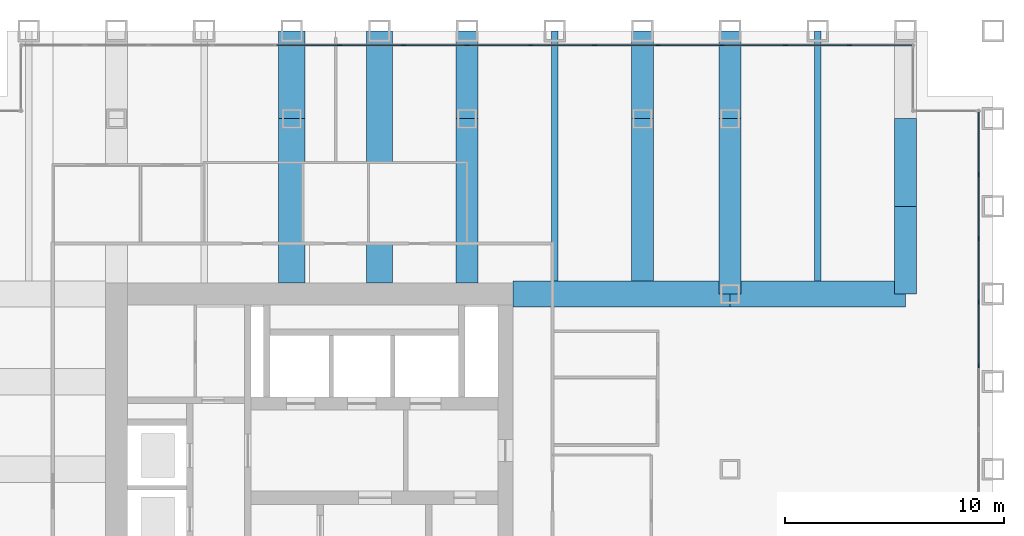
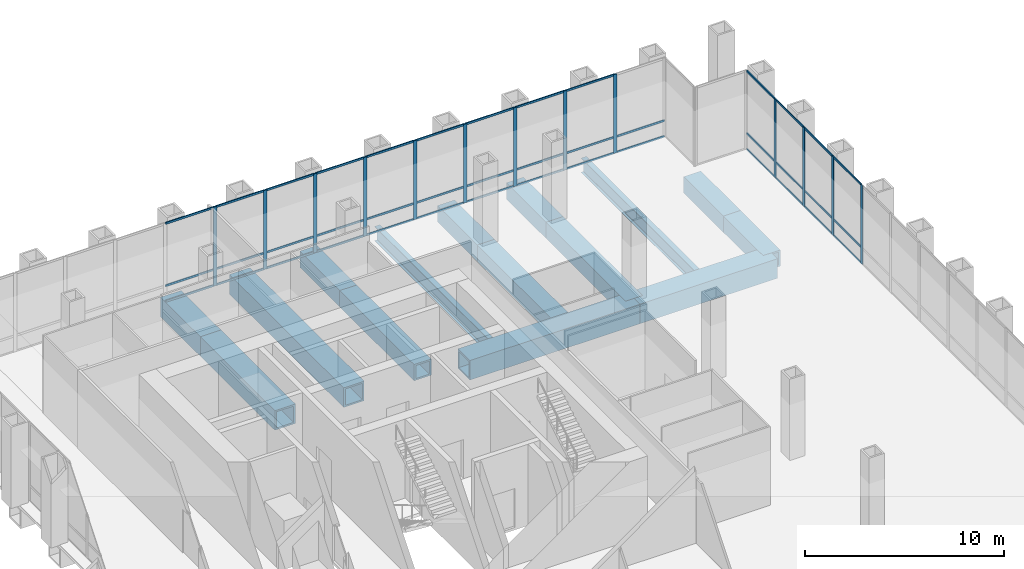
# One storey, part 8 of 16: 54 members, 15 beams, 2 elements without a shape of their own.
"""IFC4 building model written with IfcOpenShell, lengths in metres."""

from ifc_helpers import new_model, si_unit, direction, frame, origin, origin_2d, place, context, subcontext, project, spatial, rectangle, hollow_rectangle, i_section, extrude, material, material_profile, profile_set, type_object, element, aggregate, save


model = new_model("IFC4")

# Units and contexts
model_context = context("Model", 3, precision=1e-05, world=origin(), true_north=direction((0.0, 1.0)))
body_context = subcontext(model_context, "Body", "Model", "MODEL_VIEW")
ifc_project = project(units=[si_unit("LENGTHUNIT", "METRE"), si_unit("AREAUNIT", "SQUARE_METRE"), si_unit("VOLUMEUNIT", "CUBIC_METRE"), si_unit("PLANEANGLEUNIT", "RADIAN"), si_unit("MASSUNIT", "GRAM", prefix="KILO")], contexts=[model_context])

# Site, building, storey
site_placement = place(None, origin())
site = spatial("IfcSite", under=ifc_project, at=site_placement, CompositionType="ELEMENT")
building_placement = place(site_placement, origin())
building = spatial("IfcBuilding", under=site, at=building_placement, Name="Rimbunsela Tower", CompositionType="ELEMENT")
storey_placement = place(building_placement, frame((0.0, 0.0, 76.39990234375)))
storey = spatial("IfcBuildingStorey", under=building, at=storey_placement, Name="L18", CompositionType="ELEMENT", Elevation=76.39990234375)

# Beams
ifc_material_1 = material(Name="Steel BJ 55 (fy 410 MPa)", Category="steel")
ifc_material_profile_1 = material_profile(ifc_material_1, hollow_rectangle(XDim=1.0, YDim=1.0, WallThickness=0.10009765625, at=origin_2d()), Name="BOX 1000x1000x100")
ifc_profile_set_1 = profile_set([ifc_material_profile_1], Name="Steel BJ 55 (fy 410 MPa)")
beam_type_1 = type_object("IfcBeamType", Name="Beam BOX 1000x1000x100", PredefinedType="BEAM", material=ifc_profile_set_1)
beam_1_placement = place(storey_placement, frame((34.0, 36.5, -0.64990234375), z_axis=(0.0, 1.0, 0.0), x_axis=(-1.0, 0.0, 0.0)))
element("IfcBeam", 1, at=beam_1_placement, inside=storey, type_object=beam_type_1, Name="Beam B3 L18", PredefinedType="BEAM", context=body_context, shape_type="SweptSolid", body=[
    extrude(hollow_rectangle(XDim=1.0, YDim=1.0, WallThickness=0.10009765625, at=origin_2d()), origin(), (0.0, 0.0, 1.0), 7.5),
])
beam_2_placement = place(storey_placement, frame((34.0, 44.0, -0.64990234375), z_axis=(0.0, 1.0, 0.0), x_axis=(-1.0, 0.0, 0.0)))
element("IfcBeam", 2, at=beam_2_placement, inside=storey, type_object=beam_type_1, Name="Beam B3 L18", PredefinedType="BEAM", context=body_context, shape_type="SweptSolid", body=[
    extrude(hollow_rectangle(XDim=1.0, YDim=1.0, WallThickness=0.10009765625, at=origin_2d()), origin(), (0.0, 0.0, 1.0), 4.0),
])
beam_3_placement = place(storey_placement, frame((42.0, 36.60009765625, -0.64990234375), z_axis=(0.0, 1.0, 0.0), x_axis=(-1.0, 0.0, 0.0)))
element("IfcBeam", 3, at=beam_3_placement, inside=storey, type_object=beam_type_1, Name="Beam B3 L18", PredefinedType="BEAM", context=body_context, shape_type="SweptSolid", body=[
    extrude(hollow_rectangle(XDim=1.0, YDim=1.0, WallThickness=0.10009765625, at=origin_2d()), origin(), (0.0, 0.0, 1.0), 7.39990234375),
])
beam_4_placement = place(storey_placement, frame((42.0, 44.0, -0.64990234375), z_axis=(0.0, 1.0, 0.0), x_axis=(-1.0, 0.0, 0.0)))
element("IfcBeam", 4, at=beam_4_placement, inside=storey, type_object=beam_type_1, Name="Beam B3 L18", PredefinedType="BEAM", context=body_context, shape_type="SweptSolid", body=[
    extrude(hollow_rectangle(XDim=1.0, YDim=1.0, WallThickness=0.10009765625, at=origin_2d()), origin(), (0.0, 0.0, 1.0), 4.0),
])
beam_5_placement = place(storey_placement, frame((46.0, 36.0, -0.64990234375), z_axis=(0.0, 1.0, 0.0), x_axis=(-1.0, 0.0, 0.0)))
element("IfcBeam", 5, at=beam_5_placement, inside=storey, type_object=beam_type_1, Name="Beam B3 L18", PredefinedType="BEAM", context=body_context, shape_type="SweptSolid", body=[
    extrude(hollow_rectangle(XDim=1.0, YDim=1.0, WallThickness=0.10009765625, at=origin_2d()), origin(), (0.0, 0.0, 1.0), 8.0),
])
for number, where, z_axis, x_axis, name in (
    (6, (46.0, 44.0, -0.64990234375), (0.0, 1.0, 0.0), (-1.0, 0.0, 0.0), "Beam B3 L18"),
    (7, (54.0, 36.0, -0.64990234375), (0.0, 1.0, 0.0), (-1.0, 0.0, 0.0), "Beam B3 L18"),
    (8, (54.0, 40.0, -0.64990234375), (0.0, 1.0, 0.0), (-1.0, 0.0, 0.0), "Beam B3 L18"),
):
    element("IfcBeam", number, at=place(storey_placement, frame(where, z_axis=z_axis, x_axis=x_axis)), inside=storey, type_object=beam_type_1, Name=name, PredefinedType="BEAM", context=body_context, shape_type="SweptSolid", body=[
        extrude(hollow_rectangle(XDim=1.0, YDim=1.0, WallThickness=0.10009765625, at=origin_2d()), origin(), (0.0, 0.0, 1.0), 4.0),
    ])
ifc_material_2 = material(Name="Steel BJ 55 (fy 410 MPa)", Category="steel")
ifc_material_profile_2 = material_profile(ifc_material_2, hollow_rectangle(XDim=1.199951171875, YDim=1.199951171875, WallThickness=0.10009765625, at=origin_2d()), Name="BOX 1200x1200x100")
ifc_profile_set_2 = profile_set([ifc_material_profile_2], Name="Steel BJ 55 (fy 410 MPa)")
beam_type_2 = type_object("IfcBeamType", Name="Beam BOX 1200x1200x100", PredefinedType="BEAM", material=ifc_profile_set_2)
beam_6_placement = place(storey_placement, frame((26.0, 36.5, -0.75), z_axis=(0.0, 1.0, 0.0), x_axis=(-1.0, 0.0, 0.0)))
element("IfcBeam", 9, at=beam_6_placement, inside=storey, type_object=beam_type_2, Name="Beam B5 L18", PredefinedType="BEAM", context=body_context, shape_type="SweptSolid", body=[
    extrude(hollow_rectangle(XDim=1.199951171875, YDim=1.199951171875, WallThickness=0.10009765625, at=origin_2d()), origin(), (0.0, 0.0, 1.0), 7.5),
])
beam_7_placement = place(storey_placement, frame((26.0, 44.0, -0.75), z_axis=(0.0, 1.0, 0.0), x_axis=(-1.0, 0.0, 0.0)))
element("IfcBeam", 10, at=beam_7_placement, inside=storey, type_object=beam_type_2, Name="Beam B5 L18", PredefinedType="BEAM", context=body_context, shape_type="SweptSolid", body=[
    extrude(hollow_rectangle(XDim=1.199951171875, YDim=1.199951171875, WallThickness=0.10009765625, at=origin_2d()), origin(), (0.0, 0.0, 1.0), 4.0),
])
beam_8_placement = place(storey_placement, frame((30.0, 36.5, -0.75), z_axis=(0.0, 1.0, 0.0), x_axis=(-1.0, 0.0, 0.0)))
element("IfcBeam", 11, at=beam_8_placement, inside=storey, type_object=beam_type_2, Name="Beam B5 L18", PredefinedType="BEAM", context=body_context, shape_type="SweptSolid", body=[
    extrude(hollow_rectangle(XDim=1.199951171875, YDim=1.199951171875, WallThickness=0.10009765625, at=origin_2d()), origin(), (0.0, 0.0, 1.0), 11.5),
])
beam_9_placement = place(storey_placement, frame((36.10009765625, 36.0, -0.75), z_axis=(1.0, 0.0, 0.0), x_axis=(0.0, 1.0, 0.0)))
element("IfcBeam", 12, at=beam_9_placement, inside=storey, type_object=beam_type_2, Name="Beam B5 L18", PredefinedType="BEAM", context=body_context, shape_type="SweptSolid", body=[
    extrude(hollow_rectangle(XDim=1.199951171875, YDim=1.199951171875, WallThickness=0.10009765625, at=origin_2d()), origin(), (0.0, 0.0, 1.0), 9.89990234375),
])
beam_10_placement = place(storey_placement, frame((46.0, 36.0, -0.75), z_axis=(1.0, 0.0, 0.0), x_axis=(0.0, 1.0, 0.0)))
element("IfcBeam", 13, at=beam_10_placement, inside=storey, type_object=beam_type_2, Name="Beam B5 L18", PredefinedType="BEAM", context=body_context, shape_type="SweptSolid", body=[
    extrude(hollow_rectangle(XDim=1.199951171875, YDim=1.199951171875, WallThickness=0.10009765625, at=origin_2d()), origin(), (0.0, 0.0, 1.0), 8.0),
])
ifc_material_3 = material(Name="Steel BJ 55 (fy 410 MPa)", Category="steel")
ifc_material_profile_3 = material_profile(ifc_material_3, i_section(OverallWidth=0.300048828125, OverallDepth=0.89990234375, WebThickness=0.01611328125, FlangeThickness=0.028076171875, FilletRadius=0.028076171875, at=origin_2d()), Name="H 900x300x16x28")
ifc_profile_set_3 = profile_set([ifc_material_profile_3], Name="Steel BJ 55 (fy 410 MPa)")
beam_type_3 = type_object("IfcBeamType", Name="Beam H 900x300x16x28", PredefinedType="BEAM", material=ifc_profile_set_3)
for number, where, z_axis, x_axis, name in (
    (14, (38.0, 36.60009765625, -0.599853515625), (0.0, 1.0, 0.0), (-1.0, 0.0, 0.0), "Beam B2 L18"),
    (15, (50.0, 36.60009765625, -0.599853515625), (0.0, 1.0, 0.0), (-1.0, 0.0, 0.0), "Beam B2 L18"),
):
    element("IfcBeam", number, at=place(storey_placement, frame(where, z_axis=z_axis, x_axis=x_axis)), inside=storey, type_object=beam_type_3, Name=name, PredefinedType="BEAM", context=body_context, shape_type="SweptSolid", body=[
        extrude(i_section(OverallWidth=0.300048828125, OverallDepth=0.89990234375, WebThickness=0.01611328125, FlangeThickness=0.028076171875, FilletRadius=0.028076171875, at=origin_2d()), origin(), (0.0, 0.0, 1.0), 11.39990234375),
    ])

# Curtain wall, members
ifc_material_4 = material(Name="Aluminium curtain wall", Category="aluminium")
curtain_wall_type = type_object("IfcCurtainWallType", Name="Sky lobby glazing", PredefinedType="USERDEFINED", material=ifc_material_4)
curtain_wall_1_placement = place(storey_placement, origin())
curtain_wall_1 = element("IfcCurtainWall", 16, at=curtain_wall_1_placement, inside=storey, type_object=curtain_wall_type, Name="Sky lobby glazing L18", ObjectType="SKY LOBBY GLAZING", PredefinedType="USERDEFINED")
ifc_material_5 = material(Name="Aluminium mullion", Category="aluminium")
ifc_material_profile_4 = material_profile(ifc_material_5, rectangle(XDim=0.06005859375, YDim=0.199951171875, at=origin_2d()), Name="Mullion 60x200")
ifc_profile_set_4 = profile_set([ifc_material_profile_4], Name="Aluminium mullion")
member_type_1 = type_object("IfcMemberType", Name="Curtain wall mullion 60x200", PredefinedType="MULLION", material=ifc_profile_set_4)
member_1_placement = place(storey_placement, frame((57.35009765625, 32.721435546875, 0.0), z_axis=(0.0, 0.0, 1.0), x_axis=(-1.0, 0.0, 0.0)))
member_1 = element("IfcMember", 17, at=member_1_placement, type_object=member_type_1, Name="CW4 mullion 11", PredefinedType="MULLION", context=body_context, shape_type="SweptSolid", body=[
    extrude(rectangle(XDim=0.06005859375, YDim=0.199951171875, at=origin_2d()), origin(), (0.0, 0.0, 1.0), 4.85009765625),
])
member_2_placement = place(storey_placement, frame((57.35009765625, 35.628662109375, 0.0), z_axis=(0.0, 0.0, 1.0), x_axis=(-1.0, 0.0, 0.0)))
member_2 = element("IfcMember", 18, at=member_2_placement, type_object=member_type_1, Name="CW4 mullion 12", PredefinedType="MULLION", context=body_context, shape_type="SweptSolid", body=[
    extrude(rectangle(XDim=0.06005859375, YDim=0.199951171875, at=origin_2d()), origin(), (0.0, 0.0, 1.0), 4.85009765625),
])
member_3_placement = place(storey_placement, frame((57.35009765625, 38.53564453125, 0.0), z_axis=(0.0, 0.0, 1.0), x_axis=(-1.0, 0.0, 0.0)))
member_3 = element("IfcMember", 19, at=member_3_placement, type_object=member_type_1, Name="CW4 mullion 13", PredefinedType="MULLION", context=body_context, shape_type="SweptSolid", body=[
    extrude(rectangle(XDim=0.06005859375, YDim=0.199951171875, at=origin_2d()), origin(), (0.0, 0.0, 1.0), 4.85009765625),
])
member_4_placement = place(storey_placement, frame((57.35009765625, 41.44287109375, 0.0), z_axis=(0.0, 0.0, 1.0), x_axis=(-1.0, 0.0, 0.0)))
member_4 = element("IfcMember", 20, at=member_4_placement, type_object=member_type_1, Name="CW4 mullion 14", PredefinedType="MULLION", context=body_context, shape_type="SweptSolid", body=[
    extrude(rectangle(XDim=0.06005859375, YDim=0.199951171875, at=origin_2d()), origin(), (0.0, 0.0, 1.0), 4.85009765625),
])

curtain_wall_2_placement = place(storey_placement, origin())
curtain_wall_2 = element("IfcCurtainWall", 21, at=curtain_wall_2_placement, inside=storey, type_object=curtain_wall_type, Name="Sky lobby glazing L18", ObjectType="SKY LOBBY GLAZING", PredefinedType="USERDEFINED")
member_5_placement = place(storey_placement, frame((51.44287109375, 47.35009765625, 0.0), z_axis=(0.0, 0.0, 1.0), x_axis=(0.0, -1.0, 0.0)))
member_5 = element("IfcMember", 22, at=member_5_placement, type_object=member_type_1, Name="CW4 mullion 2", PredefinedType="MULLION", context=body_context, shape_type="SweptSolid", body=[
    extrude(rectangle(XDim=0.06005859375, YDim=0.199951171875, at=origin_2d()), origin(), (0.0, 0.0, 1.0), 4.85009765625),
])
member_6_placement = place(storey_placement, frame((48.53564453125, 47.35009765625, 0.0), z_axis=(0.0, 0.0, 1.0), x_axis=(0.0, -1.0, 0.0)))
member_6 = element("IfcMember", 23, at=member_6_placement, type_object=member_type_1, Name="CW4 mullion 3", PredefinedType="MULLION", context=body_context, shape_type="SweptSolid", body=[
    extrude(rectangle(XDim=0.06005859375, YDim=0.199951171875, at=origin_2d()), origin(), (0.0, 0.0, 1.0), 4.85009765625),
])
member_7_placement = place(storey_placement, frame((45.628662109375, 47.35009765625, 0.0), z_axis=(0.0, 0.0, 1.0), x_axis=(0.0, -1.0, 0.0)))
member_7 = element("IfcMember", 24, at=member_7_placement, type_object=member_type_1, Name="CW4 mullion 4", PredefinedType="MULLION", context=body_context, shape_type="SweptSolid", body=[
    extrude(rectangle(XDim=0.06005859375, YDim=0.199951171875, at=origin_2d()), origin(), (0.0, 0.0, 1.0), 4.85009765625),
])
member_8_placement = place(storey_placement, frame((42.721435546875, 47.35009765625, 0.0), z_axis=(0.0, 0.0, 1.0), x_axis=(0.0, -1.0, 0.0)))
member_8 = element("IfcMember", 25, at=member_8_placement, type_object=member_type_1, Name="CW4 mullion 5", PredefinedType="MULLION", context=body_context, shape_type="SweptSolid", body=[
    extrude(rectangle(XDim=0.06005859375, YDim=0.199951171875, at=origin_2d()), origin(), (0.0, 0.0, 1.0), 4.85009765625),
])
member_9_placement = place(storey_placement, frame((39.814208984375, 47.35009765625, 0.0), z_axis=(0.0, 0.0, 1.0), x_axis=(0.0, -1.0, 0.0)))
member_9 = element("IfcMember", 26, at=member_9_placement, type_object=member_type_1, Name="CW4 mullion 6", PredefinedType="MULLION", context=body_context, shape_type="SweptSolid", body=[
    extrude(rectangle(XDim=0.06005859375, YDim=0.199951171875, at=origin_2d()), origin(), (0.0, 0.0, 1.0), 4.85009765625),
])
member_10_placement = place(storey_placement, frame((36.9072265625, 47.35009765625, 0.0), z_axis=(0.0, 0.0, 1.0), x_axis=(0.0, -1.0, 0.0)))
member_10 = element("IfcMember", 27, at=member_10_placement, type_object=member_type_1, Name="CW4 mullion 7", PredefinedType="MULLION", context=body_context, shape_type="SweptSolid", body=[
    extrude(rectangle(XDim=0.06005859375, YDim=0.199951171875, at=origin_2d()), origin(), (0.0, 0.0, 1.0), 4.85009765625),
])
member_11_placement = place(storey_placement, frame((34.0, 47.35009765625, 0.0), z_axis=(0.0, 0.0, 1.0), x_axis=(0.0, -1.0, 0.0)))
member_11 = element("IfcMember", 28, at=member_11_placement, type_object=member_type_1, Name="CW4 mullion 8", PredefinedType="MULLION", context=body_context, shape_type="SweptSolid", body=[
    extrude(rectangle(XDim=0.06005859375, YDim=0.199951171875, at=origin_2d()), origin(), (0.0, 0.0, 1.0), 4.85009765625),
])
member_12_placement = place(storey_placement, frame((31.0927734375, 47.35009765625, 0.0), z_axis=(0.0, 0.0, 1.0), x_axis=(0.0, -1.0, 0.0)))
member_12 = element("IfcMember", 29, at=member_12_placement, type_object=member_type_1, Name="CW4 mullion 9", PredefinedType="MULLION", context=body_context, shape_type="SweptSolid", body=[
    extrude(rectangle(XDim=0.06005859375, YDim=0.199951171875, at=origin_2d()), origin(), (0.0, 0.0, 1.0), 4.85009765625),
])
member_13_placement = place(storey_placement, frame((28.185791015625, 47.35009765625, 0.0), z_axis=(0.0, 0.0, 1.0), x_axis=(0.0, -1.0, 0.0)))
member_13 = element("IfcMember", 30, at=member_13_placement, type_object=member_type_1, Name="CW4 mullion 10", PredefinedType="MULLION", context=body_context, shape_type="SweptSolid", body=[
    extrude(rectangle(XDim=0.06005859375, YDim=0.199951171875, at=origin_2d()), origin(), (0.0, 0.0, 1.0), 4.85009765625),
])

# Member
ifc_material_6 = material(Name="Aluminium transom", Category="aluminium")
ifc_material_profile_5 = material_profile(ifc_material_6, rectangle(XDim=0.06005859375, YDim=0.1201171875, at=origin_2d()), Name="Transom 60x120")
ifc_profile_set_5 = profile_set([ifc_material_profile_5], Name="Aluminium transom")
member_type_2 = type_object("IfcMemberType", Name="Curtain wall transom 60x120", PredefinedType="USERDEFINED", material=ifc_profile_set_5)
member_14_placement = place(storey_placement, frame((57.35009765625, 32.75146484375, 0.030029296875), z_axis=(0.0, 1.0, 0.0), x_axis=(-1.0, 0.0, 0.0)))
member_14 = element("IfcMember", 31, at=member_14_placement, type_object=member_type_2, Name="CW4 transom 11.1", ObjectType="TRANSOM", PredefinedType="USERDEFINED", context=body_context, shape_type="SweptSolid", body=[
    extrude(rectangle(XDim=0.06005859375, YDim=0.1201171875, at=origin_2d()), origin(), (0.0, 0.0, 1.0), 2.84716796875),
])

member_15_placement = place(storey_placement, frame((57.35009765625, 32.75146484375, 1.0), z_axis=(0.0, 1.0, 0.0), x_axis=(-1.0, 0.0, 0.0)))
member_15 = element("IfcMember", 32, at=member_15_placement, type_object=member_type_2, Name="CW4 transom 11.2", ObjectType="TRANSOM", PredefinedType="USERDEFINED", context=body_context, shape_type="SweptSolid", body=[
    extrude(rectangle(XDim=0.06005859375, YDim=0.1201171875, at=origin_2d()), origin(), (0.0, 0.0, 1.0), 2.84716796875),
])

member_16_placement = place(storey_placement, frame((57.35009765625, 32.75146484375, 4.820068359375), z_axis=(0.0, 1.0, 0.0), x_axis=(-1.0, 0.0, 0.0)))
member_16 = element("IfcMember", 33, at=member_16_placement, type_object=member_type_2, Name="CW4 transom 11.3", ObjectType="TRANSOM", PredefinedType="USERDEFINED", context=body_context, shape_type="SweptSolid", body=[
    extrude(rectangle(XDim=0.06005859375, YDim=0.1201171875, at=origin_2d()), origin(), (0.0, 0.0, 1.0), 2.84716796875),
])

member_17_placement = place(storey_placement, frame((57.35009765625, 35.65869140625, 0.030029296875), z_axis=(0.0, 1.0, 0.0), x_axis=(-1.0, 0.0, 0.0)))
member_17 = element("IfcMember", 34, at=member_17_placement, type_object=member_type_2, Name="CW4 transom 12.1", ObjectType="TRANSOM", PredefinedType="USERDEFINED", context=body_context, shape_type="SweptSolid", body=[
    extrude(rectangle(XDim=0.06005859375, YDim=0.1201171875, at=origin_2d()), origin(), (0.0, 0.0, 1.0), 2.846923828125),
])

member_18_placement = place(storey_placement, frame((57.35009765625, 35.65869140625, 1.0), z_axis=(0.0, 1.0, 0.0), x_axis=(-1.0, 0.0, 0.0)))
member_18 = element("IfcMember", 35, at=member_18_placement, type_object=member_type_2, Name="CW4 transom 12.2", ObjectType="TRANSOM", PredefinedType="USERDEFINED", context=body_context, shape_type="SweptSolid", body=[
    extrude(rectangle(XDim=0.06005859375, YDim=0.1201171875, at=origin_2d()), origin(), (0.0, 0.0, 1.0), 2.846923828125),
])

member_19_placement = place(storey_placement, frame((57.35009765625, 35.65869140625, 4.820068359375), z_axis=(0.0, 1.0, 0.0), x_axis=(-1.0, 0.0, 0.0)))
member_19 = element("IfcMember", 36, at=member_19_placement, type_object=member_type_2, Name="CW4 transom 12.3", ObjectType="TRANSOM", PredefinedType="USERDEFINED", context=body_context, shape_type="SweptSolid", body=[
    extrude(rectangle(XDim=0.06005859375, YDim=0.1201171875, at=origin_2d()), origin(), (0.0, 0.0, 1.0), 2.846923828125),
])

member_20_placement = place(storey_placement, frame((57.35009765625, 38.565673828125, 0.030029296875), z_axis=(0.0, 1.0, 0.0), x_axis=(-1.0, 0.0, 0.0)))
member_20 = element("IfcMember", 37, at=member_20_placement, type_object=member_type_2, Name="CW4 transom 13.1", ObjectType="TRANSOM", PredefinedType="USERDEFINED", context=body_context, shape_type="SweptSolid", body=[
    extrude(rectangle(XDim=0.06005859375, YDim=0.1201171875, at=origin_2d()), origin(), (0.0, 0.0, 1.0), 2.84716796875),
])

member_21_placement = place(storey_placement, frame((57.35009765625, 38.565673828125, 1.0), z_axis=(0.0, 1.0, 0.0), x_axis=(-1.0, 0.0, 0.0)))
member_21 = element("IfcMember", 38, at=member_21_placement, type_object=member_type_2, Name="CW4 transom 13.2", ObjectType="TRANSOM", PredefinedType="USERDEFINED", context=body_context, shape_type="SweptSolid", body=[
    extrude(rectangle(XDim=0.06005859375, YDim=0.1201171875, at=origin_2d()), origin(), (0.0, 0.0, 1.0), 2.84716796875),
])

member_22_placement = place(storey_placement, frame((57.35009765625, 38.565673828125, 4.820068359375), z_axis=(0.0, 1.0, 0.0), x_axis=(-1.0, 0.0, 0.0)))
member_22 = element("IfcMember", 39, at=member_22_placement, type_object=member_type_2, Name="CW4 transom 13.3", ObjectType="TRANSOM", PredefinedType="USERDEFINED", context=body_context, shape_type="SweptSolid", body=[
    extrude(rectangle(XDim=0.06005859375, YDim=0.1201171875, at=origin_2d()), origin(), (0.0, 0.0, 1.0), 2.84716796875),
])

member_23_placement = place(storey_placement, frame((57.35009765625, 41.472900390625, 0.030029296875), z_axis=(0.0, 1.0, 0.0), x_axis=(-1.0, 0.0, 0.0)))
member_23 = element("IfcMember", 40, at=member_23_placement, type_object=member_type_2, Name="CW4 transom 14.1", ObjectType="TRANSOM", PredefinedType="USERDEFINED", context=body_context, shape_type="SweptSolid", body=[
    extrude(rectangle(XDim=0.06005859375, YDim=0.1201171875, at=origin_2d()), origin(), (0.0, 0.0, 1.0), 2.817138671875),
])

member_24_placement = place(storey_placement, frame((57.35009765625, 41.472900390625, 1.0), z_axis=(0.0, 1.0, 0.0), x_axis=(-1.0, 0.0, 0.0)))
member_24 = element("IfcMember", 41, at=member_24_placement, type_object=member_type_2, Name="CW4 transom 14.2", ObjectType="TRANSOM", PredefinedType="USERDEFINED", context=body_context, shape_type="SweptSolid", body=[
    extrude(rectangle(XDim=0.06005859375, YDim=0.1201171875, at=origin_2d()), origin(), (0.0, 0.0, 1.0), 2.817138671875),
])

member_25_placement = place(storey_placement, frame((57.35009765625, 41.472900390625, 4.820068359375), z_axis=(0.0, 1.0, 0.0), x_axis=(-1.0, 0.0, 0.0)))
member_25 = element("IfcMember", 42, at=member_25_placement, type_object=member_type_2, Name="CW4 transom 14.3", ObjectType="TRANSOM", PredefinedType="USERDEFINED", context=body_context, shape_type="SweptSolid", body=[
    extrude(rectangle(XDim=0.06005859375, YDim=0.1201171875, at=origin_2d()), origin(), (0.0, 0.0, 1.0), 2.817138671875),
])

aggregate(curtain_wall_1, [member_1, member_2, member_3, member_4, member_14, member_15, member_16, member_17, member_18, member_19, member_20, member_21, member_22, member_23, member_24, member_25])

member_26_placement = place(storey_placement, frame((54.2900390625, 47.35009765625, 0.030029296875), z_axis=(-1.0, 0.0, 0.0), x_axis=(0.0, -1.0, 0.0)))
member_26 = element("IfcMember", 43, at=member_26_placement, type_object=member_type_2, Name="CW4 transom 1.1", ObjectType="TRANSOM", PredefinedType="USERDEFINED", context=body_context, shape_type="SweptSolid", body=[
    extrude(rectangle(XDim=0.06005859375, YDim=0.1201171875, at=origin_2d()), origin(), (0.0, 0.0, 1.0), 2.817138671875),
])

member_27_placement = place(storey_placement, frame((54.2900390625, 47.35009765625, 1.0), z_axis=(-1.0, 0.0, 0.0), x_axis=(0.0, -1.0, 0.0)))
member_27 = element("IfcMember", 44, at=member_27_placement, type_object=member_type_2, Name="CW4 transom 1.2", ObjectType="TRANSOM", PredefinedType="USERDEFINED", context=body_context, shape_type="SweptSolid", body=[
    extrude(rectangle(XDim=0.06005859375, YDim=0.1201171875, at=origin_2d()), origin(), (0.0, 0.0, 1.0), 2.817138671875),
])

member_28_placement = place(storey_placement, frame((51.412841796875, 47.35009765625, 0.030029296875), z_axis=(-1.0, 0.0, 0.0), x_axis=(0.0, -1.0, 0.0)))
member_28 = element("IfcMember", 45, at=member_28_placement, type_object=member_type_2, Name="CW4 transom 2.1", ObjectType="TRANSOM", PredefinedType="USERDEFINED", context=body_context, shape_type="SweptSolid", body=[
    extrude(rectangle(XDim=0.06005859375, YDim=0.1201171875, at=origin_2d()), origin(), (0.0, 0.0, 1.0), 2.84716796875),
])

member_29_placement = place(storey_placement, frame((51.412841796875, 47.35009765625, 1.0), z_axis=(-1.0, 0.0, 0.0), x_axis=(0.0, -1.0, 0.0)))
member_29 = element("IfcMember", 46, at=member_29_placement, type_object=member_type_2, Name="CW4 transom 2.2", ObjectType="TRANSOM", PredefinedType="USERDEFINED", context=body_context, shape_type="SweptSolid", body=[
    extrude(rectangle(XDim=0.06005859375, YDim=0.1201171875, at=origin_2d()), origin(), (0.0, 0.0, 1.0), 2.84716796875),
])

member_30_placement = place(storey_placement, frame((51.412841796875, 47.35009765625, 4.820068359375), z_axis=(-1.0, 0.0, 0.0), x_axis=(0.0, -1.0, 0.0)))
member_30 = element("IfcMember", 47, at=member_30_placement, type_object=member_type_2, Name="CW4 transom 2.3", ObjectType="TRANSOM", PredefinedType="USERDEFINED", context=body_context, shape_type="SweptSolid", body=[
    extrude(rectangle(XDim=0.06005859375, YDim=0.1201171875, at=origin_2d()), origin(), (0.0, 0.0, 1.0), 2.84716796875),
])

member_31_placement = place(storey_placement, frame((48.505615234375, 47.35009765625, 0.030029296875), z_axis=(-1.0, 0.0, 0.0), x_axis=(0.0, -1.0, 0.0)))
member_31 = element("IfcMember", 48, at=member_31_placement, type_object=member_type_2, Name="CW4 transom 3.1", ObjectType="TRANSOM", PredefinedType="USERDEFINED", context=body_context, shape_type="SweptSolid", body=[
    extrude(rectangle(XDim=0.06005859375, YDim=0.1201171875, at=origin_2d()), origin(), (0.0, 0.0, 1.0), 2.846923828125),
])

member_32_placement = place(storey_placement, frame((48.505615234375, 47.35009765625, 1.0), z_axis=(-1.0, 0.0, 0.0), x_axis=(0.0, -1.0, 0.0)))
member_32 = element("IfcMember", 49, at=member_32_placement, type_object=member_type_2, Name="CW4 transom 3.2", ObjectType="TRANSOM", PredefinedType="USERDEFINED", context=body_context, shape_type="SweptSolid", body=[
    extrude(rectangle(XDim=0.06005859375, YDim=0.1201171875, at=origin_2d()), origin(), (0.0, 0.0, 1.0), 2.846923828125),
])

member_33_placement = place(storey_placement, frame((48.505615234375, 47.35009765625, 4.820068359375), z_axis=(-1.0, 0.0, 0.0), x_axis=(0.0, -1.0, 0.0)))
member_33 = element("IfcMember", 50, at=member_33_placement, type_object=member_type_2, Name="CW4 transom 3.3", ObjectType="TRANSOM", PredefinedType="USERDEFINED", context=body_context, shape_type="SweptSolid", body=[
    extrude(rectangle(XDim=0.06005859375, YDim=0.1201171875, at=origin_2d()), origin(), (0.0, 0.0, 1.0), 2.846923828125),
])

member_34_placement = place(storey_placement, frame((45.5986328125, 47.35009765625, 0.030029296875), z_axis=(-1.0, 0.0, 0.0), x_axis=(0.0, -1.0, 0.0)))
member_34 = element("IfcMember", 51, at=member_34_placement, type_object=member_type_2, Name="CW4 transom 4.1", ObjectType="TRANSOM", PredefinedType="USERDEFINED", context=body_context, shape_type="SweptSolid", body=[
    extrude(rectangle(XDim=0.06005859375, YDim=0.1201171875, at=origin_2d()), origin(), (0.0, 0.0, 1.0), 2.84716796875),
])

member_35_placement = place(storey_placement, frame((45.5986328125, 47.35009765625, 1.0), z_axis=(-1.0, 0.0, 0.0), x_axis=(0.0, -1.0, 0.0)))
member_35 = element("IfcMember", 52, at=member_35_placement, type_object=member_type_2, Name="CW4 transom 4.2", ObjectType="TRANSOM", PredefinedType="USERDEFINED", context=body_context, shape_type="SweptSolid", body=[
    extrude(rectangle(XDim=0.06005859375, YDim=0.1201171875, at=origin_2d()), origin(), (0.0, 0.0, 1.0), 2.84716796875),
])

member_36_placement = place(storey_placement, frame((45.5986328125, 47.35009765625, 4.820068359375), z_axis=(-1.0, 0.0, 0.0), x_axis=(0.0, -1.0, 0.0)))
member_36 = element("IfcMember", 53, at=member_36_placement, type_object=member_type_2, Name="CW4 transom 4.3", ObjectType="TRANSOM", PredefinedType="USERDEFINED", context=body_context, shape_type="SweptSolid", body=[
    extrude(rectangle(XDim=0.06005859375, YDim=0.1201171875, at=origin_2d()), origin(), (0.0, 0.0, 1.0), 2.84716796875),
])

member_37_placement = place(storey_placement, frame((42.69140625, 47.35009765625, 0.030029296875), z_axis=(-1.0, 0.0, 0.0), x_axis=(0.0, -1.0, 0.0)))
member_37 = element("IfcMember", 54, at=member_37_placement, type_object=member_type_2, Name="CW4 transom 5.1", ObjectType="TRANSOM", PredefinedType="USERDEFINED", context=body_context, shape_type="SweptSolid", body=[
    extrude(rectangle(XDim=0.06005859375, YDim=0.1201171875, at=origin_2d()), origin(), (0.0, 0.0, 1.0), 2.84716796875),
])

member_38_placement = place(storey_placement, frame((42.69140625, 47.35009765625, 1.0), z_axis=(-1.0, 0.0, 0.0), x_axis=(0.0, -1.0, 0.0)))
member_38 = element("IfcMember", 55, at=member_38_placement, type_object=member_type_2, Name="CW4 transom 5.2", ObjectType="TRANSOM", PredefinedType="USERDEFINED", context=body_context, shape_type="SweptSolid", body=[
    extrude(rectangle(XDim=0.06005859375, YDim=0.1201171875, at=origin_2d()), origin(), (0.0, 0.0, 1.0), 2.84716796875),
])

member_39_placement = place(storey_placement, frame((42.69140625, 47.35009765625, 4.820068359375), z_axis=(-1.0, 0.0, 0.0), x_axis=(0.0, -1.0, 0.0)))
member_39 = element("IfcMember", 56, at=member_39_placement, type_object=member_type_2, Name="CW4 transom 5.3", ObjectType="TRANSOM", PredefinedType="USERDEFINED", context=body_context, shape_type="SweptSolid", body=[
    extrude(rectangle(XDim=0.06005859375, YDim=0.1201171875, at=origin_2d()), origin(), (0.0, 0.0, 1.0), 2.84716796875),
])

member_40_placement = place(storey_placement, frame((39.7841796875, 47.35009765625, 0.030029296875), z_axis=(-1.0, 0.0, 0.0), x_axis=(0.0, -1.0, 0.0)))
member_40 = element("IfcMember", 57, at=member_40_placement, type_object=member_type_2, Name="CW4 transom 6.1", ObjectType="TRANSOM", PredefinedType="USERDEFINED", context=body_context, shape_type="SweptSolid", body=[
    extrude(rectangle(XDim=0.06005859375, YDim=0.1201171875, at=origin_2d()), origin(), (0.0, 0.0, 1.0), 2.846923828125),
])

member_41_placement = place(storey_placement, frame((39.7841796875, 47.35009765625, 1.0), z_axis=(-1.0, 0.0, 0.0), x_axis=(0.0, -1.0, 0.0)))
member_41 = element("IfcMember", 58, at=member_41_placement, type_object=member_type_2, Name="CW4 transom 6.2", ObjectType="TRANSOM", PredefinedType="USERDEFINED", context=body_context, shape_type="SweptSolid", body=[
    extrude(rectangle(XDim=0.06005859375, YDim=0.1201171875, at=origin_2d()), origin(), (0.0, 0.0, 1.0), 2.846923828125),
])

member_42_placement = place(storey_placement, frame((39.7841796875, 47.35009765625, 4.820068359375), z_axis=(-1.0, 0.0, 0.0), x_axis=(0.0, -1.0, 0.0)))
member_42 = element("IfcMember", 59, at=member_42_placement, type_object=member_type_2, Name="CW4 transom 6.3", ObjectType="TRANSOM", PredefinedType="USERDEFINED", context=body_context, shape_type="SweptSolid", body=[
    extrude(rectangle(XDim=0.06005859375, YDim=0.1201171875, at=origin_2d()), origin(), (0.0, 0.0, 1.0), 2.846923828125),
])

member_43_placement = place(storey_placement, frame((36.877197265625, 47.35009765625, 0.030029296875), z_axis=(-1.0, 0.0, 0.0), x_axis=(0.0, -1.0, 0.0)))
member_43 = element("IfcMember", 60, at=member_43_placement, type_object=member_type_2, Name="CW4 transom 7.1", ObjectType="TRANSOM", PredefinedType="USERDEFINED", context=body_context, shape_type="SweptSolid", body=[
    extrude(rectangle(XDim=0.06005859375, YDim=0.1201171875, at=origin_2d()), origin(), (0.0, 0.0, 1.0), 2.84716796875),
])

member_44_placement = place(storey_placement, frame((36.877197265625, 47.35009765625, 1.0), z_axis=(-1.0, 0.0, 0.0), x_axis=(0.0, -1.0, 0.0)))
member_44 = element("IfcMember", 61, at=member_44_placement, type_object=member_type_2, Name="CW4 transom 7.2", ObjectType="TRANSOM", PredefinedType="USERDEFINED", context=body_context, shape_type="SweptSolid", body=[
    extrude(rectangle(XDim=0.06005859375, YDim=0.1201171875, at=origin_2d()), origin(), (0.0, 0.0, 1.0), 2.84716796875),
])

member_45_placement = place(storey_placement, frame((36.877197265625, 47.35009765625, 4.820068359375), z_axis=(-1.0, 0.0, 0.0), x_axis=(0.0, -1.0, 0.0)))
member_45 = element("IfcMember", 62, at=member_45_placement, type_object=member_type_2, Name="CW4 transom 7.3", ObjectType="TRANSOM", PredefinedType="USERDEFINED", context=body_context, shape_type="SweptSolid", body=[
    extrude(rectangle(XDim=0.06005859375, YDim=0.1201171875, at=origin_2d()), origin(), (0.0, 0.0, 1.0), 2.84716796875),
])

member_46_placement = place(storey_placement, frame((33.969970703125, 47.35009765625, 0.030029296875), z_axis=(-1.0, 0.0, 0.0), x_axis=(0.0, -1.0, 0.0)))
member_46 = element("IfcMember", 63, at=member_46_placement, type_object=member_type_2, Name="CW4 transom 8.1", ObjectType="TRANSOM", PredefinedType="USERDEFINED", context=body_context, shape_type="SweptSolid", body=[
    extrude(rectangle(XDim=0.06005859375, YDim=0.1201171875, at=origin_2d()), origin(), (0.0, 0.0, 1.0), 2.84716796875),
])

member_47_placement = place(storey_placement, frame((33.969970703125, 47.35009765625, 1.0), z_axis=(-1.0, 0.0, 0.0), x_axis=(0.0, -1.0, 0.0)))
member_47 = element("IfcMember", 64, at=member_47_placement, type_object=member_type_2, Name="CW4 transom 8.2", ObjectType="TRANSOM", PredefinedType="USERDEFINED", context=body_context, shape_type="SweptSolid", body=[
    extrude(rectangle(XDim=0.06005859375, YDim=0.1201171875, at=origin_2d()), origin(), (0.0, 0.0, 1.0), 2.84716796875),
])

member_48_placement = place(storey_placement, frame((33.969970703125, 47.35009765625, 4.820068359375), z_axis=(-1.0, 0.0, 0.0), x_axis=(0.0, -1.0, 0.0)))
member_48 = element("IfcMember", 65, at=member_48_placement, type_object=member_type_2, Name="CW4 transom 8.3", ObjectType="TRANSOM", PredefinedType="USERDEFINED", context=body_context, shape_type="SweptSolid", body=[
    extrude(rectangle(XDim=0.06005859375, YDim=0.1201171875, at=origin_2d()), origin(), (0.0, 0.0, 1.0), 2.84716796875),
])

member_49_placement = place(storey_placement, frame((31.062744140625, 47.35009765625, 0.030029296875), z_axis=(-1.0, 0.0, 0.0), x_axis=(0.0, -1.0, 0.0)))
member_49 = element("IfcMember", 66, at=member_49_placement, type_object=member_type_2, Name="CW4 transom 9.1", ObjectType="TRANSOM", PredefinedType="USERDEFINED", context=body_context, shape_type="SweptSolid", body=[
    extrude(rectangle(XDim=0.06005859375, YDim=0.1201171875, at=origin_2d()), origin(), (0.0, 0.0, 1.0), 2.846923828125),
])

member_50_placement = place(storey_placement, frame((31.062744140625, 47.35009765625, 1.0), z_axis=(-1.0, 0.0, 0.0), x_axis=(0.0, -1.0, 0.0)))
member_50 = element("IfcMember", 67, at=member_50_placement, type_object=member_type_2, Name="CW4 transom 9.2", ObjectType="TRANSOM", PredefinedType="USERDEFINED", context=body_context, shape_type="SweptSolid", body=[
    extrude(rectangle(XDim=0.06005859375, YDim=0.1201171875, at=origin_2d()), origin(), (0.0, 0.0, 1.0), 2.846923828125),
])

member_51_placement = place(storey_placement, frame((31.062744140625, 47.35009765625, 4.820068359375), z_axis=(-1.0, 0.0, 0.0), x_axis=(0.0, -1.0, 0.0)))
member_51 = element("IfcMember", 68, at=member_51_placement, type_object=member_type_2, Name="CW4 transom 9.3", ObjectType="TRANSOM", PredefinedType="USERDEFINED", context=body_context, shape_type="SweptSolid", body=[
    extrude(rectangle(XDim=0.06005859375, YDim=0.1201171875, at=origin_2d()), origin(), (0.0, 0.0, 1.0), 2.846923828125),
])

member_52_placement = place(storey_placement, frame((28.15576171875, 47.35009765625, 0.030029296875), z_axis=(-1.0, 0.0, 0.0), x_axis=(0.0, -1.0, 0.0)))
member_52 = element("IfcMember", 69, at=member_52_placement, type_object=member_type_2, Name="CW4 transom 10.1", ObjectType="TRANSOM", PredefinedType="USERDEFINED", context=body_context, shape_type="SweptSolid", body=[
    extrude(rectangle(XDim=0.06005859375, YDim=0.1201171875, at=origin_2d()), origin(), (0.0, 0.0, 1.0), 2.84716796875),
])

member_53_placement = place(storey_placement, frame((28.15576171875, 47.35009765625, 1.0), z_axis=(-1.0, 0.0, 0.0), x_axis=(0.0, -1.0, 0.0)))
member_53 = element("IfcMember", 70, at=member_53_placement, type_object=member_type_2, Name="CW4 transom 10.2", ObjectType="TRANSOM", PredefinedType="USERDEFINED", context=body_context, shape_type="SweptSolid", body=[
    extrude(rectangle(XDim=0.06005859375, YDim=0.1201171875, at=origin_2d()), origin(), (0.0, 0.0, 1.0), 2.84716796875),
])

member_54_placement = place(storey_placement, frame((28.15576171875, 47.35009765625, 4.820068359375), z_axis=(-1.0, 0.0, 0.0), x_axis=(0.0, -1.0, 0.0)))
member_54 = element("IfcMember", 71, at=member_54_placement, type_object=member_type_2, Name="CW4 transom 10.3", ObjectType="TRANSOM", PredefinedType="USERDEFINED", context=body_context, shape_type="SweptSolid", body=[
    extrude(rectangle(XDim=0.06005859375, YDim=0.1201171875, at=origin_2d()), origin(), (0.0, 0.0, 1.0), 2.84716796875),
])

aggregate(curtain_wall_2, [member_5, member_6, member_7, member_8, member_9, member_10, member_11, member_12, member_13, member_26, member_27, member_28, member_29, member_30, member_31, member_32, member_33, member_34, member_35, member_36, member_37, member_38, member_39, member_40, member_41, member_42, member_43, member_44, member_45, member_46, member_47, member_48, member_49, member_50, member_51, member_52, member_53, member_54])

save(model, "model.ifc")
